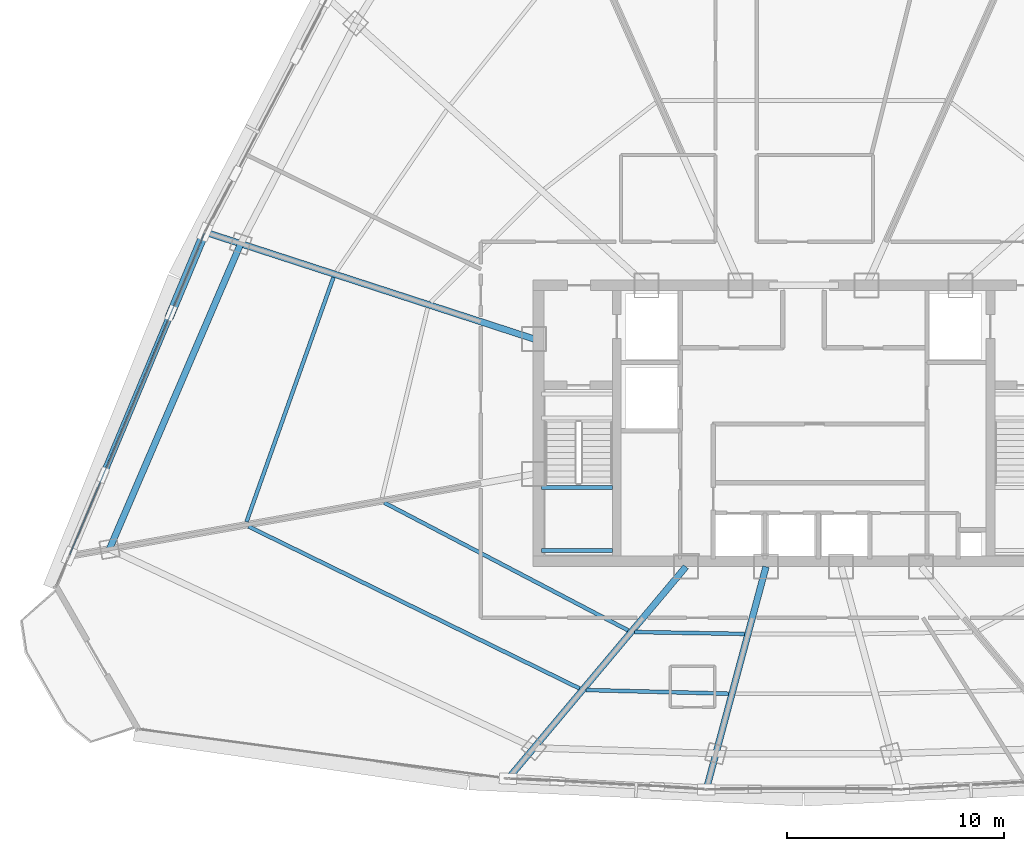
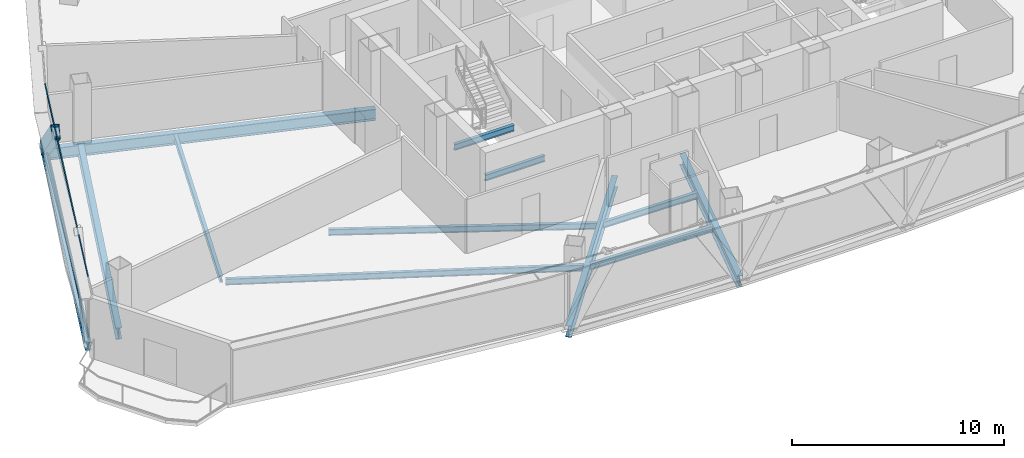
# One storey, part 7 of 37: 12 beams, 3 members, 1 element without a shape of its own.
"""IFC4 building model written with IfcOpenShell, lengths in metres."""

from ifc_helpers import new_model, si_unit, direction, frame, origin, origin_2d, place, context, subcontext, project, spatial, hollow_rectangle, i_section, extrude, source, transform, mapped, material, layer, layer_set, material_profile, profile_set, type_object, element, aggregate, save


model = new_model("IFC4")

# Units and contexts
model_context = context("Model", 3, precision=1e-05, world=origin(), true_north=direction((0.0, 1.0)))
body_context = subcontext(model_context, "Body", "Model", "MODEL_VIEW")
ifc_project = project(units=[si_unit("LENGTHUNIT", "METRE"), si_unit("AREAUNIT", "SQUARE_METRE"), si_unit("VOLUMEUNIT", "CUBIC_METRE"), si_unit("PLANEANGLEUNIT", "RADIAN"), si_unit("MASSUNIT", "GRAM", prefix="KILO"), si_unit("THERMODYNAMICTEMPERATUREUNIT", "KELVIN"), si_unit("POWERUNIT", "WATT")], contexts=[model_context])

# Site, building, storey
site_placement = place(None, origin())
site = spatial("IfcSite", under=ifc_project, at=site_placement, CompositionType="ELEMENT")
building_placement = place(site_placement, origin())
building = spatial("IfcBuilding", under=site, at=building_placement, Name="Yunzhuo Pagoda Commons", CompositionType="ELEMENT")
storey_placement = place(building_placement, frame((0.0, 0.0, 255.719970703125)))
storey = spatial("IfcBuildingStorey", under=building, at=storey_placement, Name="L64", CompositionType="ELEMENT", Elevation=255.719970703125)

# Beams
ifc_material_1 = material(Name="Structural steel Q355B", Category="steel")
ifc_material_profile_1 = material_profile(ifc_material_1, i_section(OverallWidth=0.175048828125, OverallDepth=0.35009765625, WebThickness=0.007080078125, FlangeThickness=0.010986328125, at=origin_2d()), Name="Structural steel Q355B")
ifc_profile_set_1 = profile_set([ifc_material_profile_1], Name="Structural steel Q355B")
beam_type_1 = type_object("IfcBeamType", Name="B-JS2 Joist HN 350x175x7x11", PredefinedType="JOIST", material=ifc_profile_set_1)
shared_shape_1 = source(origin(), body_context, "Body", "SweptSolid", [
    extrude(i_section(OverallWidth=0.175048828125, OverallDepth=0.35009765625, WebThickness=0.007080078125, FlangeThickness=0.010986328125, at=origin_2d()), origin(), (0.0, 0.0, 1.0), 3.25),
])
for number, where, z_axis, x_axis, name in (
    (1, (35.949951171875, 28.0, 1.489990234375), (1.0, 0.0, 0.0), (0.0, 1.0, 0.0), "L64 ST1 landing support beam 70A"),
    (2, (35.949951171875, 30.89990234375, 1.489990234375), (1.0, 0.0, 0.0), (0.0, 1.0, 0.0), "L64 ST1 landing support beam 70B"),
):
    element("IfcBeam", number, at=place(storey_placement, frame(where, z_axis=z_axis, x_axis=x_axis)), inside=storey, type_object=beam_type_1, Name=name, PredefinedType="JOIST", context=body_context, shape_type="MappedRepresentation", body=[
        mapped(shared_shape_1, transform((0.0, 0.0, 0.0), scale=1.0)),
    ])
ifc_material_profile_2 = material_profile(ifc_material_1, i_section(OverallWidth=0.300048828125, OverallDepth=0.64990234375, WebThickness=0.012939453125, FlangeThickness=0.02197265625, at=origin_2d()), Name="Structural steel Q355B")
ifc_profile_set_2 = profile_set([ifc_material_profile_2], Name="Structural steel Q355B")
beam_type_2 = type_object("IfcBeamType", Name="B-RG2 Beam HN 650x300x13x22", PredefinedType="BEAM", material=ifc_profile_set_2)
shared_shape_2 = source(origin(), body_context, "Body", "SweptSolid", [
    extrude(i_section(OverallWidth=0.300048828125, OverallDepth=0.64990234375, WebThickness=0.012939453125, FlangeThickness=0.02197265625, at=origin_2d()), origin(), (0.0, 0.0, 1.0), 15.287841796875),
])
beam_1_placement = place(storey_placement, frame((22.101806640625, 42.114990234375, -0.5849609375), z_axis=(-0.394815333819, -0.918760497726, 0.0), x_axis=(0.918760497726, -0.394815333819, 0.0)))
element("IfcBeam", 3, at=beam_1_placement, inside=storey, type_object=beam_type_2, Name="L64 column-ring beam 11", PredefinedType="BEAM", context=body_context, shape_type="MappedRepresentation", body=[
    mapped(shared_shape_2, transform((0.0, 0.0, 0.0), scale=1.0)),
])
shared_shape_3 = source(origin(), body_context, "Body", "SweptSolid", [
    extrude(i_section(OverallWidth=0.175048828125, OverallDepth=0.35009765625, WebThickness=0.007080078125, FlangeThickness=0.010986328125, at=origin_2d()), origin(), (0.0, 0.0, 1.0), 5.0556640625),
])
beam_2_placement = place(storey_placement, frame((40.228515625, 24.24609375, -0.43505859375), z_axis=(0.999848878561, -0.017384477, 0.0), x_axis=(0.017384477, 0.999848878561, 0.0)))
element("IfcBeam", 4, at=beam_2_placement, inside=storey, type_object=beam_type_1, Name="L64 composite ring joist 1.1", PredefinedType="JOIST", context=body_context, shape_type="MappedRepresentation", body=[
    mapped(shared_shape_3, transform((0.0, 0.0, 0.0), scale=1.0)),
])
shared_shape_4 = source(origin(), body_context, "Body", "SweptSolid", [
    extrude(i_section(OverallWidth=0.175048828125, OverallDepth=0.35009765625, WebThickness=0.007080078125, FlangeThickness=0.010986328125, at=origin_2d()), origin(), (0.0, 0.0, 1.0), 6.558349609375),
])
beam_3_placement = place(storey_placement, frame((37.990234375, 21.577392578125, -0.43505859375), z_axis=(0.99966910323, -0.025723220017, 0.0), x_axis=(0.025723220017, 0.99966910323, 0.0)))
element("IfcBeam", 5, at=beam_3_placement, inside=storey, type_object=beam_type_1, Name="L64 composite ring joist 2.1", PredefinedType="JOIST", context=body_context, shape_type="MappedRepresentation", body=[
    mapped(shared_shape_4, transform((0.0, 0.0, 0.0), scale=1.0)),
])
shared_shape_5 = source(origin(), body_context, "Body", "SweptSolid", [
    extrude(i_section(OverallWidth=0.175048828125, OverallDepth=0.35009765625, WebThickness=0.007080078125, FlangeThickness=0.010986328125, at=origin_2d()), origin(), (0.0, 0.0, 1.0), 12.666259765625),
])
beam_4_placement = place(storey_placement, frame((28.70849609375, 30.19970703125, -0.43505859375), z_axis=(0.885841344078, -0.463988268302, 0.0), x_axis=(0.463988268302, 0.885841344078, 0.0)))
element("IfcBeam", 6, at=beam_4_placement, inside=storey, type_object=beam_type_1, Name="L64 composite ring joist 1.12", PredefinedType="JOIST", context=body_context, shape_type="MappedRepresentation", body=[
    mapped(shared_shape_5, transform((0.0, 0.0, 0.0), scale=1.0)),
])
shared_shape_6 = source(origin(), body_context, "Body", "SweptSolid", [
    extrude(i_section(OverallWidth=0.175048828125, OverallDepth=0.35009765625, WebThickness=0.007080078125, FlangeThickness=0.010986328125, at=origin_2d()), origin(), (0.0, 0.0, 1.0), 16.95361328125),
])
beam_5_placement = place(storey_placement, frame((22.459716796875, 29.101806640625, -0.43505859375), z_axis=(0.898261717675, -0.439460904473, 0.0), x_axis=(0.439460904473, 0.898261717675, 0.0)))
element("IfcBeam", 7, at=beam_5_placement, inside=storey, type_object=beam_type_1, Name="L64 composite ring joist 2.12", PredefinedType="JOIST", context=body_context, shape_type="MappedRepresentation", body=[
    mapped(shared_shape_6, transform((0.0, 0.0, 0.0), scale=1.0)),
])
shared_shape_7 = source(origin(), body_context, "Body", "SweptSolid", [
    extrude(i_section(OverallWidth=0.175048828125, OverallDepth=0.35009765625, WebThickness=0.007080078125, FlangeThickness=0.010986328125, at=origin_2d()), origin(), (0.0, 0.0, 1.0), 11.929931640625),
])
beam_6_placement = place(storey_placement, frame((26.36767578125, 40.5615234375, -0.43505859375), z_axis=(-0.335086374925, -0.942187413066, 0.0), x_axis=(0.942187413066, -0.335086374925, 0.0)))
element("IfcBeam", 8, at=beam_6_placement, inside=storey, type_object=beam_type_1, Name="L64 composite ring joist 2.11", PredefinedType="JOIST", context=body_context, shape_type="MappedRepresentation", body=[
    mapped(shared_shape_7, transform((0.0, 0.0, 0.0), scale=1.0)),
])
shared_shape_8 = source(origin(), body_context, "Body", "SweptSolid", [
    extrude(i_section(OverallWidth=0.300048828125, OverallDepth=0.64990234375, WebThickness=0.012939453125, FlangeThickness=0.02197265625, at=origin_2d()), origin(), (0.0, 0.0, 1.0), 12.575927734375),
])
beam_7_placement = place(storey_placement, frame((34.504150390625, 17.6162109375, -0.5849609375), z_axis=(0.642789074184, 0.766043214258, 0.0), x_axis=(-0.766043214258, 0.642789074184, 0.0)))
element("IfcBeam", 9, at=beam_7_placement, inside=storey, type_object=beam_type_2, Name="L64 radial floor girder F1C1", PredefinedType="BEAM", context=body_context, shape_type="MappedRepresentation", body=[
    mapped(shared_shape_8, transform((0.0, 0.0, 0.0), scale=1.0)),
])
shared_shape_9 = source(origin(), body_context, "Body", "SweptSolid", [
    extrude(i_section(OverallWidth=0.300048828125, OverallDepth=0.64990234375, WebThickness=0.012939453125, FlangeThickness=0.02197265625, at=origin_2d()), origin(), (0.0, 0.0, 1.0), 10.4521484375),
])
beam_8_placement = place(storey_placement, frame((43.56640625, 17.154052734375, -0.5849609375), z_axis=(0.258851670318, 0.965917083798, 0.0), x_axis=(-0.965917083798, 0.258851670318, 0.0)))
element("IfcBeam", 10, at=beam_8_placement, inside=storey, type_object=beam_type_2, Name="L64 radial floor girder F1C2", PredefinedType="BEAM", context=body_context, shape_type="MappedRepresentation", body=[
    mapped(shared_shape_9, transform((0.0, 0.0, 0.0), scale=1.0)),
])
shared_shape_10 = source(origin(), body_context, "Body", "SweptSolid", [
    extrude(i_section(OverallWidth=0.300048828125, OverallDepth=0.64990234375, WebThickness=0.012939453125, FlangeThickness=0.02197265625, at=origin_2d()), origin(), (0.0, 0.0, 1.0), 15.7705078125),
])
beam_9_placement = place(storey_placement, frame((20.601318359375, 42.602294921875, -0.5849609375), z_axis=(0.951058525128, -0.309010811754, 0.0), x_axis=(0.309010811754, 0.951058525128, 0.0)))
element("IfcBeam", 11, at=beam_9_placement, inside=storey, type_object=beam_type_2, Name="L64 radial floor girder F3C3", PredefinedType="BEAM", context=body_context, shape_type="MappedRepresentation", body=[
    mapped(shared_shape_10, transform((0.0, 0.0, 0.0), scale=1.0)),
])
ifc_material_profile_3 = material_profile(ifc_material_1, i_section(OverallWidth=0.300048828125, OverallDepth=0.43994140625, WebThickness=0.010986328125, FlangeThickness=0.01806640625, at=origin_2d()), Name="Structural steel Q355B")
ifc_profile_set_3 = profile_set([ifc_material_profile_3], Name="Structural steel Q355B")
beam_type_3 = type_object("IfcBeamType", Name="B-SP2 Beam HM 440x300x11x18", PredefinedType="BEAM", material=ifc_profile_set_3)
shared_shape_11 = source(origin(), body_context, "Body", "SweptSolid", [
    extrude(i_section(OverallWidth=0.300048828125, OverallDepth=0.43994140625, WebThickness=0.010986328125, FlangeThickness=0.01806640625, at=origin_2d()), origin(), (0.0, 0.0, 1.0), 16.160888671875),
])
beam_10_placement = place(storey_placement, frame((20.453857421875, 42.650390625, -0.47998046875), z_axis=(-0.386114471907, -0.922450873805, 0.0), x_axis=(0.922450873805, -0.386114471907, 0.0)))
element("IfcBeam", 12, at=beam_10_placement, inside=storey, type_object=beam_type_3, Name="L64 facade edge spandrel beam F3.3", PredefinedType="BEAM", context=body_context, shape_type="MappedRepresentation", body=[
    mapped(shared_shape_11, transform((0.0, 0.0, 0.0), scale=1.0)),
])

# Member
ifc_material_profile_4 = material_profile(ifc_material_1, hollow_rectangle(XDim=0.39990234375, YDim=0.719970703125, WallThickness=0.02392578125, at=origin_2d()), Name="Structural steel Q355B")
ifc_profile_set_4 = profile_set([ifc_material_profile_4], Name="Structural steel Q355B")
member_type_1 = type_object("IfcMemberType", Name="M-DL2 Brace BOX 720x400x24", PredefinedType="BRACE", material=ifc_profile_set_4)
shared_shape_12 = source(origin(), body_context, "Body", "SweptSolid", [
    extrude(hollow_rectangle(XDim=0.39990234375, YDim=0.719970703125, WallThickness=0.02392578125, at=origin_2d()), origin(), (0.0, 0.0, 1.0), 5.498779296875),
])
member_1_placement = place(storey_placement, frame((20.453857421875, 42.650390625, -0.260009765625), z_axis=(-0.283705899684, -0.677786269886, 0.678319050918), x_axis=(0.922449997595, -0.386116565219, 0.0)))
element("IfcMember", 13, at=member_1_placement, inside=storey, type_object=member_type_1, Name="L64 facade diamond brace F3.3L", PredefinedType="BRACE", context=body_context, shape_type="MappedRepresentation", body=[
    mapped(shared_shape_12, transform((0.0, 0.0, 0.0), scale=1.0)),
])

# Curtain wall, members
ifc_material_2 = material(Name="Anodized aluminium 6063-T6", Category="aluminium")
ifc_layer = layer(ifc_material_2, 0.139892578125)
ifc_layer_set = layer_set([ifc_layer], Name="Anodized aluminium 6063-T6")
curtain_wall_type = type_object("IfcCurtainWallType", Name="CW-HI High-Zone Ribbon Curtain Wall", PredefinedType="NOTDEFINED", material=ifc_layer_set)
curtain_wall_placement = place(storey_placement, origin())
curtain_wall = element("IfcCurtainWall", 14, at=curtain_wall_placement, inside=storey, type_object=curtain_wall_type, Name="L64 curtain wall CW-L64-F3B4", PredefinedType="NOTDEFINED")
ifc_material_profile_5 = material_profile(ifc_material_2, hollow_rectangle(XDim=0.054931640625, YDim=0.1201171875, WallThickness=0.00341796875, at=origin_2d()), Name="Anodized aluminium 6063-T6")
ifc_profile_set_5 = profile_set([ifc_material_profile_5], Name="Anodized aluminium 6063-T6")
member_type_2 = type_object("IfcMemberType", Name="CW-HI-T Transom RHS 120x55x3.5", PredefinedType="USERDEFINED", material=ifc_profile_set_5)
shared_shape_13 = source(origin(), body_context, "Body", "SweptSolid", [
    extrude(hollow_rectangle(XDim=0.054931640625, YDim=0.1201171875, WallThickness=0.00341796875, at=origin_2d()), origin(), (0.0, 0.0, 1.0), 16.041015625),
])
member_2_placement = place(storey_placement, frame((20.4306640625, 42.594970703125, 0.027587890625), z_axis=(-0.386096525634, -0.922458385453, 0.0), x_axis=(0.922458385453, -0.386096525634, 0.0)))
member_2 = element("IfcMember", 15, at=member_2_placement, type_object=member_type_2, Name="CW transom 1.1", ObjectType="TRANSOM", PredefinedType="USERDEFINED", context=body_context, shape_type="MappedRepresentation", body=[
    mapped(shared_shape_13, transform((0.0, 0.0, 0.0), scale=1.0)),
])
member_3_placement = place(storey_placement, frame((20.4306640625, 42.594970703125, 3.442626953125), z_axis=(-0.386096525634, -0.922458385453, 0.0), x_axis=(0.922458385453, -0.386096525634, 0.0)))
member_3 = element("IfcMember", 16, at=member_3_placement, type_object=member_type_2, Name="CW transom 1.2", ObjectType="TRANSOM", PredefinedType="USERDEFINED", context=body_context, shape_type="MappedRepresentation", body=[
    mapped(shared_shape_13, transform((0.0, 0.0, 0.0), scale=1.0)),
])
aggregate(curtain_wall, [member_2, member_3])

save(model, "model.ifc")
